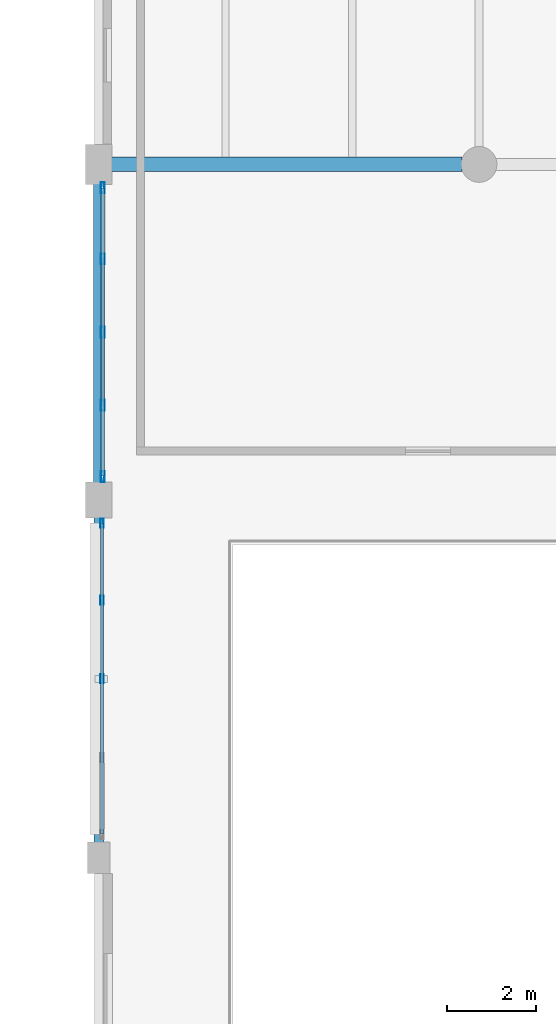
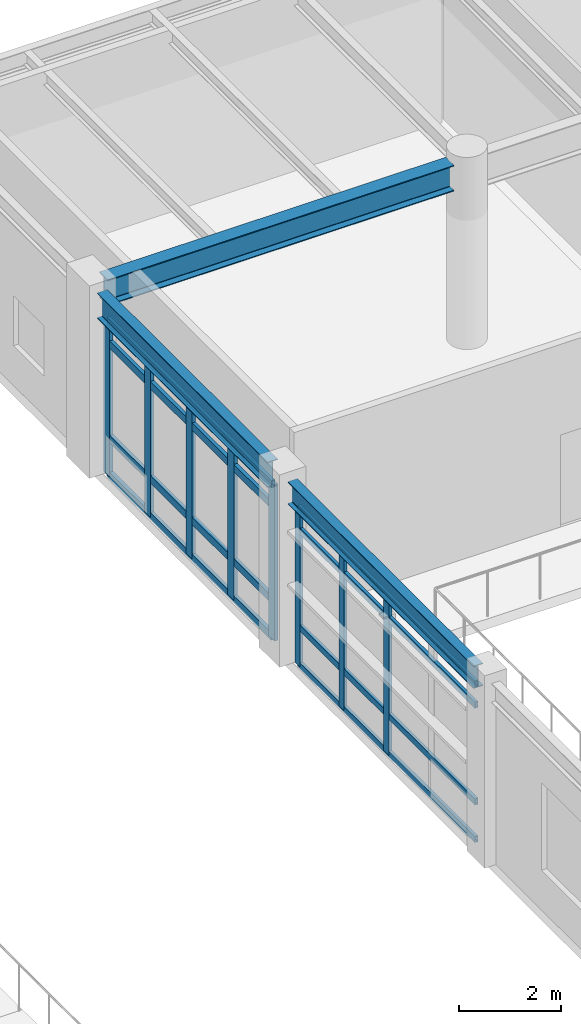
# One storey, part 102 of 168: 16 members, 3 beams, 2 elements without a shape of their own.
"""IFC4 building model written with IfcOpenShell, lengths in metres."""

from ifc_helpers import new_model, si_unit, direction, frame, origin, origin_2d, place, context, subcontext, project, spatial, hollow_rectangle, i_section, extrude, material, material_profile, profile_set, type_object, element, aggregate, save


model = new_model("IFC4")

# Units and contexts
model_context = context("Model", 3, precision=1e-05, world=origin(), true_north=direction((0.0, 1.0)))
body_context = subcontext(model_context, "Body", "Model", "MODEL_VIEW")
ifc_project = project(units=[si_unit("LENGTHUNIT", "METRE"), si_unit("AREAUNIT", "SQUARE_METRE"), si_unit("VOLUMEUNIT", "CUBIC_METRE"), si_unit("PLANEANGLEUNIT", "RADIAN"), si_unit("MASSUNIT", "GRAM", prefix="KILO"), si_unit("THERMODYNAMICTEMPERATUREUNIT", "KELVIN"), si_unit("POWERUNIT", "WATT")], contexts=[model_context])

# Site, building, storey
site_placement = place(None, origin())
site = spatial("IfcSite", under=ifc_project, at=site_placement, CompositionType="ELEMENT")
building_placement = place(site_placement, origin())
building = spatial("IfcBuilding", under=site, at=building_placement, Name="Tepalcoro Natatorium and Aquatics Centre", CompositionType="ELEMENT")
storey_placement = place(building_placement, frame((0.0, 0.0, 10.199951171875)))
storey = spatial("IfcBuildingStorey", under=building, at=storey_placement, Name="L02", CompositionType="ELEMENT", Elevation=10.199951171875)

# Beam
ifc_material_1 = material(Name="Steel ASTM A992 Grade 50 (Fy 345 MPa)", Category="steel")
ifc_material_profile_1 = material_profile(ifc_material_1, i_section(OverallWidth=0.324951171875, OverallDepth=0.616943359375, WebThickness=0.013916015625, FlangeThickness=0.02197265625, FilletRadius=0.013916015625, at=origin_2d()), Name="W24X117")
ifc_profile_set_1 = profile_set([ifc_material_profile_1], Name="Steel ASTM A992 Grade 50 (Fy 345 MPa)")
beam_type_1 = type_object("IfcBeamType", Name="BM_W24x117", PredefinedType="BEAM", material=ifc_profile_set_1)
beam_1_placement = place(storey_placement, frame((142.284912109375, 51.5, 4.056640625), z_axis=(1.0, 0.0, 0.0), x_axis=(0.0, 1.0, 0.0)))
element("IfcBeam", 1, at=beam_1_placement, inside=storey, type_object=beam_type_1, Name="V2 L02 Grid Girder X", PredefinedType="BEAM", context=body_context, shape_type="SweptSolid", body=[
    extrude(i_section(OverallWidth=0.324951171875, OverallDepth=0.616943359375, WebThickness=0.013916015625, FlangeThickness=0.02197265625, FilletRadius=0.013916015625, at=origin_2d()), origin(), (0.0, 0.0, 1.0), 7.830078125),
])

# Curtain wall, members
ifc_material_2 = material(Name="Bronze-Anodised Extruded Aluminium Alloy EN AW-6063 T6", Category="aluminium")
curtain_wall_type_1 = type_object("IfcCurtainWallType", Name="CW_LEAN_T2_EW", PredefinedType="USERDEFINED", material=ifc_material_2)
curtain_wall_1_placement = place(storey_placement, origin())
curtain_wall_1 = element("IfcCurtainWall", 2, at=curtain_wall_1_placement, inside=storey, type_object=curtain_wall_type_1, Name="V2 L02 W Unitised Curtain Wall Bay 5", ObjectType="FACETED SOLAR GLAZING", PredefinedType="USERDEFINED")
ifc_material_profile_2 = material_profile(ifc_material_2, hollow_rectangle(XDim=0.070068359375, YDim=0.199951171875, WallThickness=0.0048828125, at=origin_2d()), Name="AL70X200X5")
ifc_profile_set_2 = profile_set([ifc_material_profile_2], Name="Bronze-Anodised Extruded Aluminium Alloy EN AW-6063 T6")
member_type_1 = type_object("IfcMemberType", Name="CW_MUL_70x200", PredefinedType="MULLION", material=ifc_profile_set_2)
member_1_placement = place(storey_placement, frame((142.0712890625, 40.0, 0.02001953125), z_axis=(0.0, 0.0, 1.0), x_axis=(1.0, 0.0, 0.0)))
member_1 = element("IfcMember", 3, at=member_1_placement, type_object=member_type_1, Name="CW_LEAN_T2_EW Curtain Wall Mullion", PredefinedType="MULLION", context=body_context, shape_type="SweptSolid", body=[
    extrude(hollow_rectangle(XDim=0.070068359375, YDim=0.199951171875, WallThickness=0.0048828125, at=origin_2d()), origin(), (0.0, 0.0, 1.0), 3.77392578125),
])
member_2_placement = place(storey_placement, frame((142.0712890625, 41.760009765625, 0.02001953125), z_axis=(0.0, 0.0, 1.0), x_axis=(1.0, 0.0, 0.0)))
member_2 = element("IfcMember", 4, at=member_2_placement, type_object=member_type_1, Name="CW_LEAN_T2_EW Curtain Wall Mullion", PredefinedType="MULLION", context=body_context, shape_type="SweptSolid", body=[
    extrude(hollow_rectangle(XDim=0.070068359375, YDim=0.199951171875, WallThickness=0.0048828125, at=origin_2d()), origin(), (0.0, 0.0, 1.0), 3.77392578125),
])
member_3_placement = place(storey_placement, frame((142.0712890625, 43.47998046875, 0.02001953125), z_axis=(0.0, 0.0, 1.0), x_axis=(1.0, 0.0, 0.0)))
member_3 = element("IfcMember", 5, at=member_3_placement, type_object=member_type_1, Name="CW_LEAN_T2_EW Curtain Wall Mullion", PredefinedType="MULLION", context=body_context, shape_type="SweptSolid", body=[
    extrude(hollow_rectangle(XDim=0.070068359375, YDim=0.199951171875, WallThickness=0.0048828125, at=origin_2d()), origin(), (0.0, 0.0, 1.0), 3.77392578125),
])

curtain_wall_type_2 = type_object("IfcCurtainWallType", Name="CW_V1_PLINTH", PredefinedType="USERDEFINED", material=ifc_material_2)
curtain_wall_2_placement = place(storey_placement, origin())
curtain_wall_2 = element("IfcCurtainWall", 6, at=curtain_wall_2_placement, inside=storey, type_object=curtain_wall_type_2, Name="V2 L02 W Unitised Curtain Wall Bay 6", ObjectType="UNITISED STOREFRONT", PredefinedType="USERDEFINED")
ifc_material_profile_3 = material_profile(ifc_material_2, hollow_rectangle(XDim=0.080078125, YDim=0.239990234375, WallThickness=0.0048828125, at=origin_2d()), Name="AL80X240X5")
ifc_profile_set_3 = profile_set([ifc_material_profile_3], Name="Bronze-Anodised Extruded Aluminium Alloy EN AW-6063 T6")
member_type_2 = type_object("IfcMemberType", Name="CW_MUL_80x240", PredefinedType="MULLION", material=ifc_profile_set_3)
member_4_placement = place(storey_placement, frame((142.090087890625, 44.52001953125, 0.02001953125), z_axis=(0.0, 0.0, 1.0), x_axis=(1.0, 0.0, 0.0)))
member_4 = element("IfcMember", 7, at=member_4_placement, type_object=member_type_2, Name="CW_V1_PLINTH Curtain Wall Mullion", PredefinedType="MULLION", context=body_context, shape_type="SweptSolid", body=[
    extrude(hollow_rectangle(XDim=0.080078125, YDim=0.239990234375, WallThickness=0.0048828125, at=origin_2d()), origin(), (0.0, 0.0, 1.0), 3.697998046875),
])
member_5_placement = place(storey_placement, frame((142.090087890625, 46.114990234375, 0.02001953125), z_axis=(0.0, 0.0, 1.0), x_axis=(1.0, 0.0, 0.0)))
member_5 = element("IfcMember", 8, at=member_5_placement, type_object=member_type_2, Name="CW_V1_PLINTH Curtain Wall Mullion", PredefinedType="MULLION", context=body_context, shape_type="SweptSolid", body=[
    extrude(hollow_rectangle(XDim=0.080078125, YDim=0.239990234375, WallThickness=0.0048828125, at=origin_2d()), origin(), (0.0, 0.0, 1.0), 3.697998046875),
])
member_6_placement = place(storey_placement, frame((142.090087890625, 47.75, 0.02001953125), z_axis=(0.0, 0.0, 1.0), x_axis=(1.0, 0.0, 0.0)))
member_6 = element("IfcMember", 9, at=member_6_placement, type_object=member_type_2, Name="CW_V1_PLINTH Curtain Wall Mullion", PredefinedType="MULLION", context=body_context, shape_type="SweptSolid", body=[
    extrude(hollow_rectangle(XDim=0.080078125, YDim=0.239990234375, WallThickness=0.0048828125, at=origin_2d()), origin(), (0.0, 0.0, 1.0), 3.697998046875),
])
member_7_placement = place(storey_placement, frame((142.090087890625, 49.385009765625, 0.02001953125), z_axis=(0.0, 0.0, 1.0), x_axis=(1.0, 0.0, 0.0)))
member_7 = element("IfcMember", 10, at=member_7_placement, type_object=member_type_2, Name="CW_V1_PLINTH Curtain Wall Mullion", PredefinedType="MULLION", context=body_context, shape_type="SweptSolid", body=[
    extrude(hollow_rectangle(XDim=0.080078125, YDim=0.239990234375, WallThickness=0.0048828125, at=origin_2d()), origin(), (0.0, 0.0, 1.0), 3.697998046875),
])
member_8_placement = place(storey_placement, frame((142.090087890625, 50.97998046875, 0.02001953125), z_axis=(0.0, 0.0, 1.0), x_axis=(1.0, 0.0, 0.0)))
member_8 = element("IfcMember", 11, at=member_8_placement, type_object=member_type_2, Name="CW_V1_PLINTH Curtain Wall Mullion", PredefinedType="MULLION", context=body_context, shape_type="SweptSolid", body=[
    extrude(hollow_rectangle(XDim=0.080078125, YDim=0.239990234375, WallThickness=0.0048828125, at=origin_2d()), origin(), (0.0, 0.0, 1.0), 3.697998046875),
])

# Member
ifc_material_profile_4 = material_profile(ifc_material_2, hollow_rectangle(XDim=0.070068359375, YDim=0.14990234375, WallThickness=0.00390625, at=origin_2d()), Name="AL70X150X4")
ifc_profile_set_4 = profile_set([ifc_material_profile_4], Name="Bronze-Anodised Extruded Aluminium Alloy EN AW-6063 T6")
member_type_3 = type_object("IfcMemberType", Name="CW_TRN_70x150", PredefinedType="USERDEFINED", material=ifc_profile_set_4)
member_9_placement = place(storey_placement, frame((142.0712890625, 36.530029296875, 0.050048828125), z_axis=(0.0, 1.0, 0.0), x_axis=(-1.0, 0.0, 0.0)))
member_9 = element("IfcMember", 12, at=member_9_placement, type_object=member_type_3, Name="CW_LEAN_T2_EW Curtain Wall Transom", ObjectType="TRANSOM", PredefinedType="USERDEFINED", context=body_context, shape_type="SweptSolid", body=[
    extrude(hollow_rectangle(XDim=0.070068359375, YDim=0.14990234375, WallThickness=0.00390625, at=origin_2d()), origin(), (0.0, 0.0, 1.0), 6.93994140625),
])

member_10_placement = place(storey_placement, frame((142.0712890625, 36.530029296875, 0.949951171875), z_axis=(0.0, 1.0, 0.0), x_axis=(-1.0, 0.0, 0.0)))
member_10 = element("IfcMember", 13, at=member_10_placement, type_object=member_type_3, Name="CW_LEAN_T2_EW Curtain Wall Transom", ObjectType="TRANSOM", PredefinedType="USERDEFINED", context=body_context, shape_type="SweptSolid", body=[
    extrude(hollow_rectangle(XDim=0.070068359375, YDim=0.14990234375, WallThickness=0.00390625, at=origin_2d()), origin(), (0.0, 0.0, 1.0), 6.93994140625),
])

member_11_placement = place(storey_placement, frame((142.0712890625, 36.530029296875, 3.26416015625), z_axis=(0.0, 1.0, 0.0), x_axis=(-1.0, 0.0, 0.0)))
member_11 = element("IfcMember", 14, at=member_11_placement, type_object=member_type_3, Name="CW_LEAN_T2_EW Curtain Wall Transom", ObjectType="TRANSOM", PredefinedType="USERDEFINED", context=body_context, shape_type="SweptSolid", body=[
    extrude(hollow_rectangle(XDim=0.070068359375, YDim=0.14990234375, WallThickness=0.00390625, at=origin_2d()), origin(), (0.0, 0.0, 1.0), 6.93994140625),
])

member_12_placement = place(storey_placement, frame((142.0712890625, 36.530029296875, 3.76416015625), z_axis=(0.0, 1.0, 0.0), x_axis=(-1.0, 0.0, 0.0)))
member_12 = element("IfcMember", 15, at=member_12_placement, type_object=member_type_3, Name="CW_LEAN_T2_EW Curtain Wall Transom", ObjectType="TRANSOM", PredefinedType="USERDEFINED", context=body_context, shape_type="SweptSolid", body=[
    extrude(hollow_rectangle(XDim=0.070068359375, YDim=0.14990234375, WallThickness=0.00390625, at=origin_2d()), origin(), (0.0, 0.0, 1.0), 6.93994140625),
])

aggregate(curtain_wall_1, [member_1, member_2, member_3, member_9, member_10, member_11, member_12])

ifc_material_profile_5 = material_profile(ifc_material_2, hollow_rectangle(XDim=0.080078125, YDim=0.179931640625, WallThickness=0.0048828125, at=origin_2d()), Name="AL80X180X5")
ifc_profile_set_5 = profile_set([ifc_material_profile_5], Name="Bronze-Anodised Extruded Aluminium Alloy EN AW-6063 T6")
member_type_4 = type_object("IfcMemberType", Name="CW_TRN_80x180", PredefinedType="USERDEFINED", material=ifc_profile_set_5)
member_13_placement = place(storey_placement, frame((142.090087890625, 44.530029296875, 0.050048828125), z_axis=(0.0, 1.0, 0.0), x_axis=(-1.0, 0.0, 0.0)))
member_13 = element("IfcMember", 16, at=member_13_placement, type_object=member_type_4, Name="CW_V1_PLINTH Curtain Wall Transom", ObjectType="TRANSOM", PredefinedType="USERDEFINED", context=body_context, shape_type="SweptSolid", body=[
    extrude(hollow_rectangle(XDim=0.080078125, YDim=0.179931640625, WallThickness=0.0048828125, at=origin_2d()), origin(), (0.0, 0.0, 1.0), 6.43994140625),
])

member_14_placement = place(storey_placement, frame((142.090087890625, 44.530029296875, 0.9345703125), z_axis=(0.0, 1.0, 0.0), x_axis=(-1.0, 0.0, 0.0)))
member_14 = element("IfcMember", 17, at=member_14_placement, type_object=member_type_4, Name="CW_V1_PLINTH Curtain Wall Transom", ObjectType="TRANSOM", PredefinedType="USERDEFINED", context=body_context, shape_type="SweptSolid", body=[
    extrude(hollow_rectangle(XDim=0.080078125, YDim=0.179931640625, WallThickness=0.0048828125, at=origin_2d()), origin(), (0.0, 0.0, 1.0), 6.43994140625),
])

member_15_placement = place(storey_placement, frame((142.090087890625, 44.530029296875, 3.18798828125), z_axis=(0.0, 1.0, 0.0), x_axis=(-1.0, 0.0, 0.0)))
member_15 = element("IfcMember", 18, at=member_15_placement, type_object=member_type_4, Name="CW_V1_PLINTH Curtain Wall Transom", ObjectType="TRANSOM", PredefinedType="USERDEFINED", context=body_context, shape_type="SweptSolid", body=[
    extrude(hollow_rectangle(XDim=0.080078125, YDim=0.179931640625, WallThickness=0.0048828125, at=origin_2d()), origin(), (0.0, 0.0, 1.0), 6.43994140625),
])

member_16_placement = place(storey_placement, frame((142.090087890625, 44.530029296875, 3.68798828125), z_axis=(0.0, 1.0, 0.0), x_axis=(-1.0, 0.0, 0.0)))
member_16 = element("IfcMember", 19, at=member_16_placement, type_object=member_type_4, Name="CW_V1_PLINTH Curtain Wall Transom", ObjectType="TRANSOM", PredefinedType="USERDEFINED", context=body_context, shape_type="SweptSolid", body=[
    extrude(hollow_rectangle(XDim=0.080078125, YDim=0.179931640625, WallThickness=0.0048828125, at=origin_2d()), origin(), (0.0, 0.0, 1.0), 6.43994140625),
])

aggregate(curtain_wall_2, [member_4, member_5, member_6, member_7, member_8, member_13, member_14, member_15, member_16])

# Beams
ifc_material_profile_6 = material_profile(ifc_material_1, i_section(OverallWidth=0.2099609375, OverallDepth=0.535888671875, WebThickness=0.010986328125, FlangeThickness=0.01708984375, FilletRadius=0.013916015625, at=origin_2d()), Name="W21X68")
ifc_profile_set_6 = profile_set([ifc_material_profile_6], Name="Steel ASTM A992 Grade 50 (Fy 345 MPa)")
beam_type_2 = type_object("IfcBeamType", Name="SP_W21x68", PredefinedType="SPANDREL", material=ifc_profile_set_6)
beam_2_placement = place(storey_placement, frame((142.0, 36.3349609375, 4.09716796875), z_axis=(0.0, 1.0, 0.0), x_axis=(-1.0, 0.0, 0.0)))
element("IfcBeam", 20, at=beam_2_placement, inside=storey, type_object=beam_type_2, Name="V2 L02 Grid Girder Y", PredefinedType="SPANDREL", context=body_context, shape_type="SweptSolid", body=[
    extrude(i_section(OverallWidth=0.2099609375, OverallDepth=0.535888671875, WebThickness=0.010986328125, FlangeThickness=0.01708984375, FilletRadius=0.013916015625, at=origin_2d()), origin(), (0.0, 0.0, 1.0), 7.280029296875),
])
ifc_material_profile_7 = material_profile(ifc_material_1, i_section(OverallWidth=0.22900390625, OverallDepth=0.612060546875, WebThickness=0.011962890625, FlangeThickness=0.02001953125, FilletRadius=0.013916015625, at=origin_2d()), Name="W24X84")
ifc_profile_set_7 = profile_set([ifc_material_profile_7], Name="Steel ASTM A992 Grade 50 (Fy 345 MPa)")
beam_type_3 = type_object("IfcBeamType", Name="SP_W24x84", PredefinedType="SPANDREL", material=ifc_profile_set_7)
beam_3_placement = place(storey_placement, frame((142.0, 44.385009765625, 4.05908203125), z_axis=(0.0, 1.0, 0.0), x_axis=(-1.0, 0.0, 0.0)))
element("IfcBeam", 21, at=beam_3_placement, inside=storey, type_object=beam_type_3, Name="V2 L02 Grid Girder Y", PredefinedType="SPANDREL", context=body_context, shape_type="SweptSolid", body=[
    extrude(i_section(OverallWidth=0.22900390625, OverallDepth=0.612060546875, WebThickness=0.011962890625, FlangeThickness=0.02001953125, FilletRadius=0.013916015625, at=origin_2d()), origin(), (0.0, 0.0, 1.0), 6.679931640625),
])

save(model, "model.ifc")
